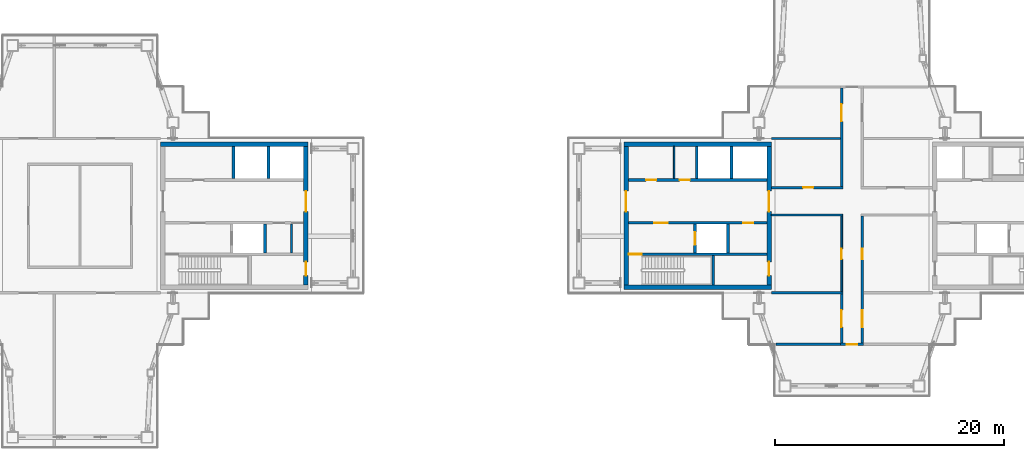
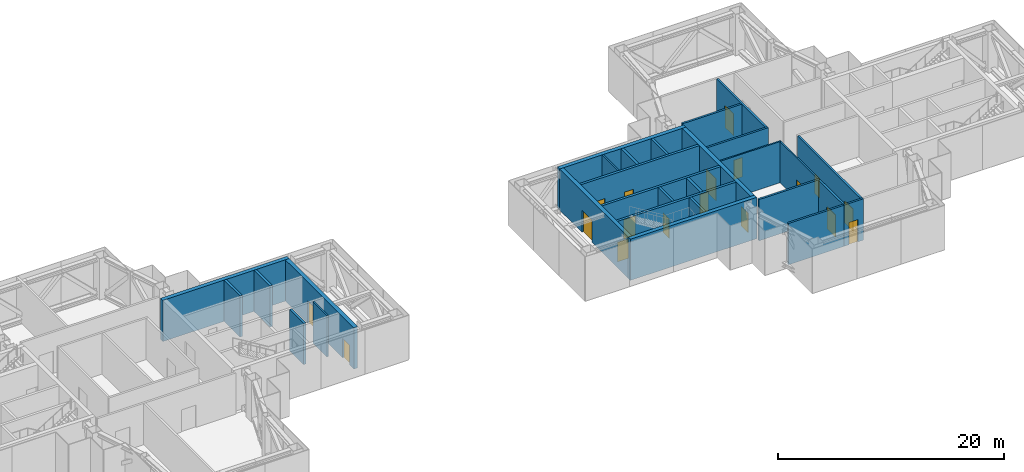
# One storey, part 8 of 18: 29 walls, 18 doors, 18 openings.
"""IFC4 building model written with IfcOpenShell, lengths in metres."""

from ifc_helpers import new_model, si_unit, direction, frame, frame_2d, origin, place, context, subcontext, project, spatial, rectangle, extrude, material, layer, layer_set, type_object, element, fill, save


model = new_model("IFC4")

# Units and contexts
model_context = context("Model", 3, precision=1e-05, world=origin(), true_north=direction((0.0, 1.0)))
body_context = subcontext(model_context, "Body", "Model", "MODEL_VIEW")
ifc_project = project(units=[si_unit("LENGTHUNIT", "METRE"), si_unit("AREAUNIT", "SQUARE_METRE"), si_unit("VOLUMEUNIT", "CUBIC_METRE"), si_unit("PLANEANGLEUNIT", "RADIAN"), si_unit("MASSUNIT", "GRAM", prefix="KILO")], contexts=[model_context])

# Site, building, storey
site_placement = place(None, origin())
site = spatial("IfcSite", under=ifc_project, at=site_placement, CompositionType="ELEMENT")
building_placement = place(site_placement, origin())
building = spatial("IfcBuilding", under=site, at=building_placement, Name="Shamsa Quay Exchange Towers", CompositionType="ELEMENT")
storey_placement = place(building_placement, frame((0.0, 0.0, 225.60009765625)))
storey = spatial("IfcBuildingStorey", under=building, at=storey_placement, Name="L54", CompositionType="ELEMENT", Elevation=225.60009765625)

# Wall
ifc_material_1 = material(Name="Concrete C60/75", Category="concrete")
ifc_layer_1 = layer(ifc_material_1, 0.39990234375)
ifc_layer_set_1 = layer_set([ifc_layer_1], Name="CORE WALL 400 C60/75")
wall_type_1 = type_object("IfcWallType", Name="CORE WALL 400 C60/75", PredefinedType="SHEAR", material=ifc_layer_set_1)
wall_1_placement = place(storey_placement, frame((-26.699951171875, 6.25, 0.0)))
element("IfcWall", 1, at=wall_1_placement, inside=storey, type_object=wall_type_1, Name="Core wall T1A-L54-PN", PredefinedType="SHEAR", context=body_context, shape_type="SweptSolid", body=[
    extrude(rectangle(XDim=12.89990234375, YDim=0.39990234375, at=frame_2d((6.449951171875, 0.0))), origin(), (0.0, 0.0, 1.0), 4.449951171875),
])

# Wall, openings, doors
wall_2_placement = place(storey_placement, frame((-14.0, 6.050048828125, 0.0), z_axis=(0.0, 0.0, 1.0), x_axis=(0.0, -1.0, 0.0)))
wall_2 = element("IfcWall", 2, at=wall_2_placement, inside=storey, type_object=wall_type_1, Name="Core wall T1A-L54-PB", PredefinedType="SHEAR", context=body_context, shape_type="SweptSolid", body=[
    extrude(rectangle(XDim=12.10009765625, YDim=0.39990234375, at=frame_2d((6.050048828125, 0.0))), origin(), (0.0, 0.0, 1.0), 4.449951171875),
])
opening_1_placement = place(wall_2_placement, frame((10.10009765625, 0.0, 0.0)))
opening_1 = element("IfcOpeningElement", 3, at=opening_1_placement, cuts=wall_2, Name="Opening T1A-L54-RD02", PredefinedType="OPENING", context=body_context, shape_type="SweptSolid", body=[
    extrude(rectangle(XDim=1.199951171875, YDim=2.10009765625, at=frame_2d((0.60009765625, 1.050048828125))), frame((0.0, 0.2099609375, 0.0), z_axis=(0.0, -1.0, 0.0), x_axis=(1.0, 0.0, 0.0)), (0.0, 0.0, 1.0), 0.419921875),
])
opening_2_placement = place(wall_2_placement, frame((3.89990234375, 0.0, 0.0)))
opening_2 = element("IfcOpeningElement", 4, at=opening_2_placement, cuts=wall_2, Name="Opening T1A-L54-LBD03", PredefinedType="OPENING", context=body_context, shape_type="SweptSolid", body=[
    extrude(rectangle(XDim=1.800048828125, YDim=2.39990234375, at=frame_2d((0.89990234375, 1.199951171875))), frame((0.0, 0.2099609375, 0.0), z_axis=(0.0, -1.0, 0.0), x_axis=(1.0, 0.0, 0.0)), (0.0, 0.0, 1.0), 0.419921875),
])
ifc_material_2 = material(Name="Steel, fire rated", Category="steel")
door_type_1 = type_object("IfcDoorType", Name="LIFT LOBBY DOOR PAIR 1800", OperationType="DOUBLE_DOOR_SINGLE_SWING", PredefinedType="DOOR", material=ifc_material_2)
door_1_placement = place(opening_2_placement, origin())
door_1 = element("IfcDoor", 5, at=door_1_placement, inside=storey, type_object=door_type_1, Name="T1A-L54-LBD03", OperationType="DOUBLE_DOOR_SINGLE_SWING", OverallHeight=2.39990234375, OverallWidth=1.800048828125, PredefinedType="DOOR", context=body_context, shape_type="SweptSolid", body=[
    extrude(rectangle(XDim=1.800048828125, YDim=2.39990234375, at=frame_2d((0.89990234375, 1.199951171875))), frame((0.0, 0.02490234375, 0.0), z_axis=(0.0, -1.0, 0.0), x_axis=(1.0, 0.0, 0.0)), (0.0, 0.0, 1.0), 0.050048828125),
])
fill(opening_2, door_1)
door_type_2 = type_object("IfcDoorType", Name="RISER ACCESS DOOR 1200", OperationType="SINGLE_SWING_LEFT", PredefinedType="DOOR", material=ifc_material_2)
door_2_placement = place(opening_1_placement, origin())
door_2 = element("IfcDoor", 6, at=door_2_placement, inside=storey, type_object=door_type_2, Name="T1A-L54-RD02", OperationType="SINGLE_SWING_RIGHT", OverallHeight=2.10009765625, OverallWidth=1.199951171875, PredefinedType="DOOR", context=body_context, shape_type="SweptSolid", body=[
    extrude(rectangle(XDim=1.199951171875, YDim=2.10009765625, at=frame_2d((0.60009765625, 1.050048828125))), frame((0.0, 0.02490234375, 0.0), z_axis=(0.0, -1.0, 0.0), x_axis=(1.0, 0.0, 0.0)), (0.0, 0.0, 1.0), 0.050048828125),
])
fill(opening_1, door_2)

# Walls
for number, where, name in (
    (7, (13.800048828125, -6.25, 0.0), "Core wall T2A-L54-PS"),
    (8, (13.800048828125, 6.25, 0.0), "Core wall T2A-L54-PN"),
):
    element("IfcWall", number, at=place(storey_placement, frame(where)), inside=storey, type_object=wall_type_1, Name=name, PredefinedType="SHEAR", context=body_context, shape_type="SweptSolid", body=[
        extrude(rectangle(XDim=12.89990234375, YDim=0.39990234375, at=frame_2d((6.449951171875, 0.0))), origin(), (0.0, 0.0, 1.0), 4.449951171875),
    ])

# Wall, opening, door
wall_3_placement = place(storey_placement, frame((14.0, 6.050048828125, 0.0), z_axis=(0.0, 0.0, 1.0), x_axis=(0.0, -1.0, 0.0)))
wall_3 = element("IfcWall", 9, at=wall_3_placement, inside=storey, type_object=wall_type_1, Name="Core wall T2A-L54-PF", PredefinedType="SHEAR", context=body_context, shape_type="SweptSolid", body=[
    extrude(rectangle(XDim=12.10009765625, YDim=0.39990234375, at=frame_2d((6.050048828125, 0.0))), origin(), (0.0, 0.0, 1.0), 4.449951171875),
])
opening_3_placement = place(wall_3_placement, frame((3.89990234375, 0.0, 0.0)))
opening_3 = element("IfcOpeningElement", 10, at=opening_3_placement, cuts=wall_3, Name="Opening T2A-L54-LBD01", PredefinedType="OPENING", context=body_context, shape_type="SweptSolid", body=[
    extrude(rectangle(XDim=1.800048828125, YDim=2.39990234375, at=frame_2d((0.89990234375, 1.199951171875))), frame((0.0, 0.2099609375, 0.0), z_axis=(0.0, -1.0, 0.0), x_axis=(1.0, 0.0, 0.0)), (0.0, 0.0, 1.0), 0.419921875),
])
door_3_placement = place(opening_3_placement, origin())
door_3 = element("IfcDoor", 11, at=door_3_placement, inside=storey, type_object=door_type_1, Name="T2A-L54-LBD01", OperationType="DOUBLE_DOOR_SINGLE_SWING", OverallHeight=2.39990234375, OverallWidth=1.800048828125, PredefinedType="DOOR", context=body_context, shape_type="SweptSolid", body=[
    extrude(rectangle(XDim=1.800048828125, YDim=2.39990234375, at=frame_2d((0.89990234375, 1.199951171875))), frame((0.0, 0.02490234375, 0.0), z_axis=(0.0, -1.0, 0.0), x_axis=(1.0, 0.0, 0.0)), (0.0, 0.0, 1.0), 0.050048828125),
])
fill(opening_3, door_3)

# Wall, openings, doors
wall_4_placement = place(storey_placement, frame((26.5, 6.050048828125, 0.0), z_axis=(0.0, 0.0, 1.0), x_axis=(0.0, -1.0, 0.0)))
wall_4 = element("IfcWall", 12, at=wall_4_placement, inside=storey, type_object=wall_type_1, Name="Core wall T2A-L54-PB", PredefinedType="SHEAR", context=body_context, shape_type="SweptSolid", body=[
    extrude(rectangle(XDim=12.10009765625, YDim=0.39990234375, at=frame_2d((6.050048828125, 0.0))), origin(), (0.0, 0.0, 1.0), 4.449951171875),
])
opening_4_placement = place(wall_4_placement, frame((10.10009765625, 0.0, 0.0)))
opening_4 = element("IfcOpeningElement", 13, at=opening_4_placement, cuts=wall_4, Name="Opening T2A-L54-RD02", PredefinedType="OPENING", context=body_context, shape_type="SweptSolid", body=[
    extrude(rectangle(XDim=1.199951171875, YDim=2.10009765625, at=frame_2d((0.60009765625, 1.050048828125))), frame((0.0, 0.2099609375, 0.0), z_axis=(0.0, -1.0, 0.0), x_axis=(1.0, 0.0, 0.0)), (0.0, 0.0, 1.0), 0.419921875),
])
opening_5_placement = place(wall_4_placement, frame((3.89990234375, 0.0, 0.0)))
opening_5 = element("IfcOpeningElement", 14, at=opening_5_placement, cuts=wall_4, Name="Opening T2A-L54-LBD03", PredefinedType="OPENING", context=body_context, shape_type="SweptSolid", body=[
    extrude(rectangle(XDim=1.800048828125, YDim=2.39990234375, at=frame_2d((0.89990234375, 1.199951171875))), frame((0.0, 0.2099609375, 0.0), z_axis=(0.0, -1.0, 0.0), x_axis=(1.0, 0.0, 0.0)), (0.0, 0.0, 1.0), 0.419921875),
])
door_4_placement = place(opening_5_placement, origin())
door_4 = element("IfcDoor", 15, at=door_4_placement, inside=storey, type_object=door_type_1, Name="T2A-L54-LBD03", OperationType="DOUBLE_DOOR_SINGLE_SWING", OverallHeight=2.39990234375, OverallWidth=1.800048828125, PredefinedType="DOOR", context=body_context, shape_type="SweptSolid", body=[
    extrude(rectangle(XDim=1.800048828125, YDim=2.39990234375, at=frame_2d((0.89990234375, 1.199951171875))), frame((0.0, 0.02490234375, 0.0), z_axis=(0.0, -1.0, 0.0), x_axis=(1.0, 0.0, 0.0)), (0.0, 0.0, 1.0), 0.050048828125),
])
fill(opening_5, door_4)
door_5_placement = place(opening_4_placement, origin())
door_5 = element("IfcDoor", 16, at=door_5_placement, inside=storey, type_object=door_type_2, Name="T2A-L54-RD02", OperationType="SINGLE_SWING_RIGHT", OverallHeight=2.10009765625, OverallWidth=1.199951171875, PredefinedType="DOOR", context=body_context, shape_type="SweptSolid", body=[
    extrude(rectangle(XDim=1.199951171875, YDim=2.10009765625, at=frame_2d((0.60009765625, 1.050048828125))), frame((0.0, 0.02490234375, 0.0), z_axis=(0.0, -1.0, 0.0), x_axis=(1.0, 0.0, 0.0)), (0.0, 0.0, 1.0), 0.050048828125),
])
fill(opening_4, door_5)

# Walls
ifc_material_3 = material(Name="Gypsum board on steel studs, EI 60", Category="steel")
ifc_layer_2 = layer(ifc_material_3, 0.14990234375)
ifc_layer_set_2 = layer_set([ifc_layer_2], Name="FIRE PARTITION 150")
wall_type_2 = type_object("IfcWallType", Name="FIRE PARTITION 150", PredefinedType="PARTITIONING", material=ifc_layer_set_2)
wall_5_placement = place(storey_placement, frame((-15.25, -3.25, 0.0), z_axis=(0.0, 0.0, 1.0), x_axis=(0.0, 1.0, 0.0)))
element("IfcWall", 17, at=wall_5_placement, inside=storey, type_object=wall_type_2, Name="Partition T1A-L54-EC0", PredefinedType="PARTITIONING", context=body_context, shape_type="SweptSolid", body=[
    extrude(rectangle(XDim=2.5, YDim=0.14990234375, at=frame_2d((1.25, 0.0))), origin(), (0.0, 0.0, 1.0), 4.449951171875),
])
wall_6_placement = place(storey_placement, frame((18.199951171875, 3.25, 0.0), z_axis=(0.0, 0.0, 1.0), x_axis=(0.0, 1.0, 0.0)))
element("IfcWall", 18, at=wall_6_placement, inside=storey, type_object=wall_type_2, Name="Partition T2A-L54-FC0", PredefinedType="PARTITIONING", context=body_context, shape_type="SweptSolid", body=[
    extrude(rectangle(XDim=2.800048828125, YDim=0.14990234375, at=frame_2d((1.39990234375, 0.0))), origin(), (0.0, 0.0, 1.0), 4.449951171875),
])
ifc_material_4 = material(Name="Gypsum board partition on metal studs")
ifc_layer_3 = layer(ifc_material_4, 0.14990234375)
ifc_layer_set_3 = layer_set([ifc_layer_3], Name="Partition 150 mm EI 60")
wall_type_3 = type_object("IfcWallType", Name="Partition 150 mm EI 60", PredefinedType="PARTITIONING", material=ifc_layer_set_3)
wall_7_placement = place(storey_placement, frame((32.924560546875, 0.0498046875, 0.0), z_axis=(0.0, 0.0, 1.0), x_axis=(-1.0, 0.0, 0.0)))
element("IfcWall", 19, at=wall_7_placement, inside=storey, type_object=wall_type_3, Name="Partition T2-L54-W05", PredefinedType="PARTITIONING", context=body_context, shape_type="SweptSolid", body=[
    extrude(rectangle(XDim=6.224609375, YDim=0.14990234375, at=frame_2d((3.1123046875, 0.0))), origin(), (0.0, 0.0, 1.0), 4.449951171875),
])

# Wall, opening, door
wall_8_placement = place(storey_placement, frame((32.849609375, -6.64990234375, 0.0), z_axis=(0.0, 0.0, 1.0), x_axis=(0.0, 1.0, 0.0)))
wall_8 = element("IfcWall", 20, at=wall_8_placement, inside=storey, type_object=wall_type_3, Name="Partition T2-L54-W06", PredefinedType="PARTITIONING", context=body_context, shape_type="SweptSolid", body=[
    extrude(rectangle(XDim=6.624755859375, YDim=0.14990234375, at=frame_2d((3.3125, 0.0))), origin(), (0.0, 0.0, 1.0), 4.449951171875),
])
opening_6_placement = place(wall_8_placement, frame((2.849853515625, 0.0, 0.0)))
opening_6 = element("IfcOpeningElement", 21, at=opening_6_placement, cuts=wall_8, Name="Opening T2-L54-D08", PredefinedType="OPENING", context=body_context, shape_type="SweptSolid", body=[
    extrude(rectangle(XDim=0.89990234375, YDim=2.10009765625, at=frame_2d((0.449951171875, 1.050048828125))), frame((0.0, 0.0849609375, 0.0), z_axis=(0.0, -1.0, 0.0), x_axis=(1.0, 0.0, 0.0)), (0.0, 0.0, 1.0), 0.169921875),
])
ifc_material_5 = material(Name="Timber door leaf in a metal frame", Category="wood")
door_type_3 = type_object("IfcDoorType", Name="Door 900x2100 FD30S", OperationType="NOTDEFINED", PredefinedType="DOOR", material=ifc_material_5)
door_6_placement = place(opening_6_placement, origin())
door_6 = element("IfcDoor", 22, at=door_6_placement, inside=storey, type_object=door_type_3, Name="Door T2-L54-D08", OperationType="SINGLE_SWING_RIGHT", OverallHeight=2.10009765625, OverallWidth=0.89990234375, PredefinedType="DOOR", context=body_context, shape_type="SweptSolid", body=[
    extrude(rectangle(XDim=0.89990234375, YDim=2.10009765625, at=frame_2d((0.449951171875, 1.050048828125))), frame((0.0, 0.02490234375, 0.0), z_axis=(0.0, -1.0, 0.0), x_axis=(1.0, 0.0, 0.0)), (0.0, 0.0, 1.0), 0.050048828125),
])
fill(opening_6, door_6)

ifc_layer_4 = layer(ifc_material_4, 0.199951171875)
ifc_layer_set_4 = layer_set([ifc_layer_4], Name="Partition 200 mm EI 120")
wall_type_4 = type_object("IfcWallType", Name="Partition 200 mm EI 120", PredefinedType="PARTITIONING", material=ifc_layer_set_4)
wall_9_placement = place(storey_placement, frame((32.849609375, 2.55029296875, 0.0), z_axis=(0.0, 0.0, 1.0), x_axis=(0.0, 1.0, 0.0)))
wall_9 = element("IfcWall", 23, at=wall_9_placement, inside=storey, type_object=wall_type_4, Name="Partition T2-L54-W01", PredefinedType="PARTITIONING", context=body_context, shape_type="SweptSolid", body=[
    extrude(rectangle(XDim=8.599609375, YDim=0.199951171875, at=frame_2d((4.2998046875, 0.0))), origin(), (0.0, 0.0, 1.0), 4.449951171875),
])
opening_7_placement = place(wall_9_placement, frame((5.69970703125, 0.0, 0.0)))
opening_7 = element("IfcOpeningElement", 24, at=opening_7_placement, cuts=wall_9, Name="Opening T2-L54-D10", PredefinedType="OPENING", context=body_context, shape_type="SweptSolid", body=[
    extrude(rectangle(XDim=1.5, YDim=2.39990234375, at=frame_2d((0.75, 1.199951171875))), frame((0.0, 0.10986328125, 0.0), z_axis=(0.0, -1.0, 0.0), x_axis=(1.0, 0.0, 0.0)), (0.0, 0.0, 1.0), 0.219970703125),
])
door_type_4 = type_object("IfcDoorType", Name="Door 1500x2400 FD60 pair", OperationType="NOTDEFINED", PredefinedType="DOOR", material=ifc_material_5)
door_7_placement = place(opening_7_placement, origin())
door_7 = element("IfcDoor", 25, at=door_7_placement, inside=storey, type_object=door_type_4, Name="Door T2-L54-D10", OperationType="DOUBLE_DOOR_SINGLE_SWING", OverallHeight=2.39990234375, OverallWidth=1.5, PredefinedType="DOOR", context=body_context, shape_type="SweptSolid", body=[
    extrude(rectangle(XDim=1.5, YDim=2.39990234375, at=frame_2d((0.75, 1.199951171875))), frame((0.0, 0.02490234375, 0.0), z_axis=(0.0, -1.0, 0.0), x_axis=(1.0, 0.0, 0.0)), (0.0, 0.0, 1.0), 0.050048828125),
])
fill(opening_7, door_7)

wall_10_placement = place(storey_placement, frame((32.849609375, -11.14990234375, 0.0), z_axis=(0.0, 0.0, 1.0), x_axis=(0.0, 1.0, 0.0)))
wall_10 = element("IfcWall", 26, at=wall_10_placement, inside=storey, type_object=wall_type_4, Name="Partition T2-L54-W02", PredefinedType="PARTITIONING", context=body_context, shape_type="SweptSolid", body=[
    extrude(rectangle(XDim=4.2998046875, YDim=0.199951171875, at=frame_2d((2.14990234375, 0.0))), origin(), (0.0, 0.0, 1.0), 4.449951171875),
])
opening_8_placement = place(wall_10_placement, frame((1.39990234375, 0.0, 0.0)))
opening_8 = element("IfcOpeningElement", 27, at=opening_8_placement, cuts=wall_10, Name="Opening T2-L54-D07", PredefinedType="OPENING", context=body_context, shape_type="SweptSolid", body=[
    extrude(rectangle(XDim=1.5, YDim=2.39990234375, at=frame_2d((0.75, 1.199951171875))), frame((0.0, 0.10986328125, 0.0), z_axis=(0.0, -1.0, 0.0), x_axis=(1.0, 0.0, 0.0)), (0.0, 0.0, 1.0), 0.219970703125),
])
door_8_placement = place(opening_8_placement, origin())
door_8 = element("IfcDoor", 28, at=door_8_placement, inside=storey, type_object=door_type_4, Name="Door T2-L54-D07", OperationType="DOUBLE_DOOR_SINGLE_SWING", OverallHeight=2.39990234375, OverallWidth=1.5, PredefinedType="DOOR", context=body_context, shape_type="SweptSolid", body=[
    extrude(rectangle(XDim=1.5, YDim=2.39990234375, at=frame_2d((0.75, 1.199951171875))), frame((0.0, 0.02490234375, 0.0), z_axis=(0.0, -1.0, 0.0), x_axis=(1.0, 0.0, 0.0)), (0.0, 0.0, 1.0), 0.050048828125),
])
fill(opening_8, door_8)

wall_11_placement = place(storey_placement, frame((26.699951171875, 2.4501953125, 0.0)))
wall_11 = element("IfcWall", 29, at=wall_11_placement, inside=storey, type_object=wall_type_4, Name="Partition T2-L54-W04", PredefinedType="PARTITIONING", context=body_context, shape_type="SweptSolid", body=[
    extrude(rectangle(XDim=6.249755859375, YDim=0.199951171875, at=frame_2d((3.125, 0.0))), origin(), (0.0, 0.0, 1.0), 4.449951171875),
])
opening_9_placement = place(wall_11_placement, frame((2.77490234375, 0.0, 0.0)))
opening_9 = element("IfcOpeningElement", 30, at=opening_9_placement, cuts=wall_11, Name="Opening T2-L54-D09", PredefinedType="OPENING", context=body_context, shape_type="SweptSolid", body=[
    extrude(rectangle(XDim=0.89990234375, YDim=2.10009765625, at=frame_2d((0.449951171875, 1.050048828125))), frame((0.0, 0.10986328125, 0.0), z_axis=(0.0, -1.0, 0.0), x_axis=(1.0, 0.0, 0.0)), (0.0, 0.0, 1.0), 0.219970703125),
])
door_type_5 = type_object("IfcDoorType", Name="Door 900x2100 FD60", OperationType="NOTDEFINED", PredefinedType="DOOR", material=ifc_material_5)
door_9_placement = place(opening_9_placement, origin())
door_9 = element("IfcDoor", 31, at=door_9_placement, inside=storey, type_object=door_type_5, Name="Door T2-L54-D09", OperationType="SINGLE_SWING_LEFT", OverallHeight=2.10009765625, OverallWidth=0.89990234375, PredefinedType="DOOR", context=body_context, shape_type="SweptSolid", body=[
    extrude(rectangle(XDim=0.89990234375, YDim=2.10009765625, at=frame_2d((0.449951171875, 1.050048828125))), frame((0.0, 0.02490234375, 0.0), z_axis=(0.0, -1.0, 0.0), x_axis=(1.0, 0.0, 0.0)), (0.0, 0.0, 1.0), 0.050048828125),
])
fill(opening_9, door_9)

# Wall, openings, doors
wall_12_placement = place(storey_placement, frame((34.650390625, -0.05029296875, 0.0), z_axis=(0.0, 0.0, 1.0), x_axis=(0.0, -1.0, 0.0)))
wall_12 = element("IfcWall", 32, at=wall_12_placement, inside=storey, type_object=wall_type_4, Name="Partition T2-L54-W07", PredefinedType="PARTITIONING", context=body_context, shape_type="SweptSolid", body=[
    extrude(rectangle(XDim=11.099609375, YDim=0.199951171875, at=frame_2d((5.5498046875, 0.0))), origin(), (0.0, 0.0, 1.0), 4.449951171875),
])
opening_10_placement = place(wall_12_placement, frame((8.19970703125, 0.0, 0.0)))
opening_10 = element("IfcOpeningElement", 33, at=opening_10_placement, cuts=wall_12, Name="Opening T2-L54-D02", PredefinedType="OPENING", context=body_context, shape_type="SweptSolid", body=[
    extrude(rectangle(XDim=1.5, YDim=2.39990234375, at=frame_2d((0.75, 1.199951171875))), frame((0.0, 0.10986328125, 0.0), z_axis=(0.0, -1.0, 0.0), x_axis=(1.0, 0.0, 0.0)), (0.0, 0.0, 1.0), 0.219970703125),
])
opening_11_placement = place(wall_12_placement, frame((2.849853515625, 0.0, 0.0)))
opening_11 = element("IfcOpeningElement", 34, at=opening_11_placement, cuts=wall_12, Name="Opening T2-L54-D03", PredefinedType="OPENING", context=body_context, shape_type="SweptSolid", body=[
    extrude(rectangle(XDim=0.89990234375, YDim=2.10009765625, at=frame_2d((0.449951171875, 1.050048828125))), frame((0.0, 0.10986328125, 0.0), z_axis=(0.0, -1.0, 0.0), x_axis=(1.0, 0.0, 0.0)), (0.0, 0.0, 1.0), 0.219970703125),
])
door_10_placement = place(opening_10_placement, origin())
door_10 = element("IfcDoor", 35, at=door_10_placement, inside=storey, type_object=door_type_4, Name="Door T2-L54-D02", OperationType="DOUBLE_DOOR_SINGLE_SWING", OverallHeight=2.39990234375, OverallWidth=1.5, PredefinedType="DOOR", context=body_context, shape_type="SweptSolid", body=[
    extrude(rectangle(XDim=1.5, YDim=2.39990234375, at=frame_2d((0.75, 1.199951171875))), frame((0.0, 0.02490234375, 0.0), z_axis=(0.0, -1.0, 0.0), x_axis=(1.0, 0.0, 0.0)), (0.0, 0.0, 1.0), 0.050048828125),
])
fill(opening_10, door_10)
door_11_placement = place(opening_11_placement, origin())
door_11 = element("IfcDoor", 36, at=door_11_placement, inside=storey, type_object=door_type_5, Name="Door T2-L54-D03", OperationType="SINGLE_SWING_LEFT", OverallHeight=2.10009765625, OverallWidth=0.89990234375, PredefinedType="DOOR", context=body_context, shape_type="SweptSolid", body=[
    extrude(rectangle(XDim=0.89990234375, YDim=2.10009765625, at=frame_2d((0.449951171875, 1.050048828125))), frame((0.0, 0.02490234375, 0.0), z_axis=(0.0, -1.0, 0.0), x_axis=(1.0, 0.0, 0.0)), (0.0, 0.0, 1.0), 0.050048828125),
])
fill(opening_11, door_11)

# Wall, opening, door
wall_13_placement = place(storey_placement, frame((34.75048828125, -11.25, 0.0), z_axis=(0.0, 0.0, 1.0), x_axis=(-1.0, 0.0, 0.0)))
wall_13 = element("IfcWall", 37, at=wall_13_placement, inside=storey, type_object=wall_type_4, Name="Partition T2-L54-W11", PredefinedType="PARTITIONING", context=body_context, shape_type="SweptSolid", body=[
    extrude(rectangle(XDim=2.0009765625, YDim=0.199951171875, at=frame_2d((1.00048828125, 0.0))), origin(), (0.0, 0.0, 1.0), 4.449951171875),
])
opening_12_placement = place(wall_13_placement, frame((0.55029296875, 0.0, 0.0)))
opening_12 = element("IfcOpeningElement", 38, at=opening_12_placement, cuts=wall_13, Name="Opening T2-L54-D06", PredefinedType="OPENING", context=body_context, shape_type="SweptSolid", body=[
    extrude(rectangle(XDim=0.89990234375, YDim=2.39990234375, at=frame_2d((0.449951171875, 1.199951171875))), frame((0.0, 0.10986328125, 0.0), z_axis=(0.0, -1.0, 0.0), x_axis=(1.0, 0.0, 0.0)), (0.0, 0.0, 1.0), 0.219970703125),
])
door_type_6 = type_object("IfcDoorType", Name="Door 900x2400 FD60", OperationType="NOTDEFINED", PredefinedType="DOOR", material=ifc_material_5)
door_12_placement = place(opening_12_placement, origin())
door_12 = element("IfcDoor", 39, at=door_12_placement, inside=storey, type_object=door_type_6, Name="Door T2-L54-D06", OperationType="SINGLE_SWING_LEFT", OverallHeight=2.39990234375, OverallWidth=0.89990234375, PredefinedType="DOOR", context=body_context, shape_type="SweptSolid", body=[
    extrude(rectangle(XDim=0.89990234375, YDim=2.39990234375, at=frame_2d((0.449951171875, 1.199951171875))), frame((0.0, 0.02490234375, 0.0), z_axis=(0.0, -1.0, 0.0), x_axis=(1.0, 0.0, 0.0)), (0.0, 0.0, 1.0), 0.050048828125),
])
fill(opening_12, door_12)

# Walls
wall_14_placement = place(storey_placement, frame((32.74951171875, 6.75, 0.0), z_axis=(0.0, 0.0, 1.0), x_axis=(-1.0, 0.0, 0.0)))
element("IfcWall", 40, at=wall_14_placement, inside=storey, type_object=wall_type_4, Name="Partition T2-L54-W12", PredefinedType="PARTITIONING", context=body_context, shape_type="SweptSolid", body=[
    extrude(rectangle(XDim=6.049560546875, YDim=0.199951171875, at=frame_2d((3.02490234375, 0.0))), origin(), (0.0, 0.0, 1.0), 4.449951171875),
])
wall_15_placement = place(storey_placement, frame((26.699951171875, -6.75, 0.0)))
element("IfcWall", 41, at=wall_15_placement, inside=storey, type_object=wall_type_4, Name="Partition T2-L54-W15", PredefinedType="PARTITIONING", context=body_context, shape_type="SweptSolid", body=[
    extrude(rectangle(XDim=6.249755859375, YDim=0.199951171875, at=frame_2d((3.125, 0.0))), origin(), (0.0, 0.0, 1.0), 4.449951171875),
])
wall_16_placement = place(storey_placement, frame((27.094970703125, -11.25, 0.0)))
element("IfcWall", 42, at=wall_16_placement, inside=storey, type_object=wall_type_4, Name="Partition T2-L54-W19", PredefinedType="PARTITIONING", context=body_context, shape_type="SweptSolid", body=[
    extrude(rectangle(XDim=5.854736328125, YDim=0.199951171875, at=frame_2d((2.92724609375, 0.0))), origin(), (0.0, 0.0, 1.0), 4.449951171875),
])
ifc_material_6 = material(Name="Concrete C50/60", Category="concrete")
ifc_layer_5 = layer(ifc_material_6, 0.25)
ifc_layer_set_5 = layer_set([ifc_layer_5], Name="SHAFT WALL 250 C50/60")
wall_type_5 = type_object("IfcWallType", Name="SHAFT WALL 250 C50/60", PredefinedType="SHEAR", material=ifc_layer_set_5)
wall_17_placement = place(storey_placement, frame((-17.574951171875, -3.25, 0.0), z_axis=(0.0, 0.0, 1.0), x_axis=(0.0, 1.0, 0.0)))
element("IfcWall", 43, at=wall_17_placement, inside=storey, type_object=wall_type_5, Name="Shaft wall T1A-L54-FFB", PredefinedType="SHEAR", context=body_context, shape_type="SweptSolid", body=[
    extrude(rectangle(XDim=2.5, YDim=0.25, at=frame_2d((1.25, 0.0))), origin(), (0.0, 0.0, 1.0), 4.449951171875),
])
for number, where, z_axis, x_axis, name in (
    (44, (-20.324951171875, 3.25, 0.0), (0.0, 0.0, 1.0), (0.0, 1.0, 0.0), "Shaft wall T1A-L54-D1"),
    (45, (-17.27490234375, 3.25, 0.0), (0.0, 0.0, 1.0), (0.0, 1.0, 0.0), "Shaft wall T1A-L54-D2"),
):
    element("IfcWall", number, at=place(storey_placement, frame(where, z_axis=z_axis, x_axis=x_axis)), inside=storey, type_object=wall_type_5, Name=name, PredefinedType="SHEAR", context=body_context, shape_type="SweptSolid", body=[
        extrude(rectangle(XDim=2.800048828125, YDim=0.25, at=frame_2d((1.39990234375, 0.0))), origin(), (0.0, 0.0, 1.0), 4.449951171875),
    ])

# Wall, opening, door
wall_18_placement = place(storey_placement, frame((26.300048828125, -3.375, 0.0), z_axis=(0.0, 0.0, 1.0), x_axis=(-1.0, 0.0, 0.0)))
wall_18 = element("IfcWall", 46, at=wall_18_placement, inside=storey, type_object=wall_type_5, Name="Shaft wall T2A-L54-STL", PredefinedType="SHEAR", context=body_context, shape_type="SweptSolid", body=[
    extrude(rectangle(XDim=12.10009765625, YDim=0.25, at=frame_2d((6.050048828125, 0.0))), origin(), (0.0, 0.0, 1.0), 4.449951171875),
])
opening_13_placement = place(wall_18_placement, frame((10.949951171875, 0.0, 0.0)))
opening_13 = element("IfcOpeningElement", 47, at=opening_13_placement, cuts=wall_18, Name="Opening T2A-L54-SD04", PredefinedType="OPENING", context=body_context, shape_type="SweptSolid", body=[
    extrude(rectangle(XDim=1.10009765625, YDim=2.10009765625, at=frame_2d((0.550048828125, 1.050048828125))), frame((0.0, 0.135009765625, 0.0), z_axis=(0.0, -1.0, 0.0), x_axis=(1.0, 0.0, 0.0)), (0.0, 0.0, 1.0), 0.27001953125),
])
door_type_7 = type_object("IfcDoorType", Name="STAIR DOOR 1100", OperationType="SINGLE_SWING_LEFT", PredefinedType="DOOR", material=ifc_material_2)
door_13_placement = place(opening_13_placement, origin())
door_13 = element("IfcDoor", 48, at=door_13_placement, inside=storey, type_object=door_type_7, Name="T2A-L54-SD04", OperationType="SINGLE_SWING_RIGHT", OverallHeight=2.10009765625, OverallWidth=1.10009765625, PredefinedType="DOOR", context=body_context, shape_type="SweptSolid", body=[
    extrude(rectangle(XDim=1.10009765625, YDim=2.10009765625, at=frame_2d((0.550048828125, 1.050048828125))), frame((0.0, 0.02490234375, 0.0), z_axis=(0.0, -1.0, 0.0), x_axis=(1.0, 0.0, 0.0)), (0.0, 0.0, 1.0), 0.050048828125),
])
fill(opening_13, door_13)

# Wall
wall_19_placement = place(storey_placement, frame((21.625, -6.050048828125, 0.0), z_axis=(0.0, 0.0, 1.0), x_axis=(0.0, 1.0, 0.0)))
element("IfcWall", 49, at=wall_19_placement, inside=storey, type_object=wall_type_5, Name="Shaft wall T2A-L54-STF", PredefinedType="SHEAR", context=body_context, shape_type="SweptSolid", body=[
    extrude(rectangle(XDim=2.550048828125, YDim=0.25, at=frame_2d((1.27490234375, 0.0))), origin(), (0.0, 0.0, 1.0), 4.449951171875),
])

# Wall, openings, doors
wall_20_placement = place(storey_placement, frame((26.300048828125, -0.625, 0.0), z_axis=(0.0, 0.0, 1.0), x_axis=(-1.0, 0.0, 0.0)))
wall_20 = element("IfcWall", 50, at=wall_20_placement, inside=storey, type_object=wall_type_5, Name="Shaft wall T2A-L54-B", PredefinedType="SHEAR", context=body_context, shape_type="SweptSolid", body=[
    extrude(rectangle(XDim=12.10009765625, YDim=0.25, at=frame_2d((6.050048828125, 0.0))), origin(), (0.0, 0.0, 1.0), 4.449951171875),
])
opening_14_placement = place(wall_20_placement, frame((8.64990234375, 0.0, 0.0)))
opening_14 = element("IfcOpeningElement", 51, at=opening_14_placement, cuts=wall_20, Name="Opening T2A-L54-FD05", PredefinedType="OPENING", context=body_context, shape_type="SweptSolid", body=[
    extrude(rectangle(XDim=1.199951171875, YDim=2.10009765625, at=frame_2d((0.60009765625, 1.050048828125))), frame((0.0, 0.135009765625, 0.0), z_axis=(0.0, -1.0, 0.0), x_axis=(1.0, 0.0, 0.0)), (0.0, 0.0, 1.0), 0.27001953125),
])
opening_15_placement = place(wall_20_placement, frame((1.175048828125, 0.0, 0.0)))
opening_15 = element("IfcOpeningElement", 52, at=opening_15_placement, cuts=wall_20, Name="Opening T2A-L54-SV06", PredefinedType="OPENING", context=body_context, shape_type="SweptSolid", body=[
    extrude(rectangle(XDim=0.89990234375, YDim=2.10009765625, at=frame_2d((0.449951171875, 1.050048828125))), frame((0.0, 0.135009765625, 0.0), z_axis=(0.0, -1.0, 0.0), x_axis=(1.0, 0.0, 0.0)), (0.0, 0.0, 1.0), 0.27001953125),
])
door_type_8 = type_object("IfcDoorType", Name="FIRE SERVICE LOBBY DOOR 1200", OperationType="SINGLE_SWING_LEFT", PredefinedType="DOOR", material=ifc_material_2)
door_14_placement = place(opening_14_placement, origin())
door_14 = element("IfcDoor", 53, at=door_14_placement, inside=storey, type_object=door_type_8, Name="T2A-L54-FD05", OperationType="SINGLE_SWING_RIGHT", OverallHeight=2.10009765625, OverallWidth=1.199951171875, PredefinedType="DOOR", context=body_context, shape_type="SweptSolid", body=[
    extrude(rectangle(XDim=1.199951171875, YDim=2.10009765625, at=frame_2d((0.60009765625, 1.050048828125))), frame((0.0, 0.02490234375, 0.0), z_axis=(0.0, -1.0, 0.0), x_axis=(1.0, 0.0, 0.0)), (0.0, 0.0, 1.0), 0.050048828125),
])
fill(opening_14, door_14)
door_type_9 = type_object("IfcDoorType", Name="SERVICE ROOM DOOR 900", OperationType="SINGLE_SWING_LEFT", PredefinedType="DOOR", material=ifc_material_2)
door_15_placement = place(opening_15_placement, origin())
door_15 = element("IfcDoor", 54, at=door_15_placement, inside=storey, type_object=door_type_9, Name="T2A-L54-SV06", OperationType="SINGLE_SWING_LEFT", OverallHeight=2.10009765625, OverallWidth=0.89990234375, PredefinedType="DOOR", context=body_context, shape_type="SweptSolid", body=[
    extrude(rectangle(XDim=0.89990234375, YDim=2.10009765625, at=frame_2d((0.449951171875, 1.050048828125))), frame((0.0, 0.02490234375, 0.0), z_axis=(0.0, -1.0, 0.0), x_axis=(1.0, 0.0, 0.0)), (0.0, 0.0, 1.0), 0.050048828125),
])
fill(opening_15, door_15)

# Wall, opening, door
wall_21_placement = place(storey_placement, frame((20.02490234375, -3.25, 0.0), z_axis=(0.0, 0.0, 1.0), x_axis=(0.0, 1.0, 0.0)))
wall_21 = element("IfcWall", 55, at=wall_21_placement, inside=storey, type_object=wall_type_5, Name="Shaft wall T2A-L54-FFF", PredefinedType="SHEAR", context=body_context, shape_type="SweptSolid", body=[
    extrude(rectangle(XDim=2.5, YDim=0.25, at=frame_2d((1.25, 0.0))), origin(), (0.0, 0.0, 1.0), 4.449951171875),
])
opening_16_placement = place(wall_21_placement, frame((0.699951171875, 0.0, 0.0)))
opening_16 = element("IfcOpeningElement", 56, at=opening_16_placement, cuts=wall_21, Name="Opening T2A-L54-LDF07", PredefinedType="OPENING", context=body_context, shape_type="SweptSolid", body=[
    extrude(rectangle(XDim=1.10009765625, YDim=2.10009765625, at=frame_2d((0.550048828125, 1.050048828125))), frame((0.0, 0.135009765625, 0.0), z_axis=(0.0, -1.0, 0.0), x_axis=(1.0, 0.0, 0.0)), (0.0, 0.0, 1.0), 0.27001953125),
])
door_type_10 = type_object("IfcDoorType", Name="FIRE SERVICE LANDING DOOR 1100", OperationType="SLIDING_TO_LEFT", PredefinedType="DOOR", material=ifc_material_2)
door_16_placement = place(opening_16_placement, origin())
door_16 = element("IfcDoor", 57, at=door_16_placement, inside=storey, type_object=door_type_10, Name="T2A-L54-LDF07", OperationType="SLIDING_TO_LEFT", OverallHeight=2.10009765625, OverallWidth=1.10009765625, PredefinedType="DOOR", context=body_context, shape_type="SweptSolid", body=[
    extrude(rectangle(XDim=1.10009765625, YDim=2.10009765625, at=frame_2d((0.550048828125, 1.050048828125))), frame((0.0, 0.02490234375, 0.0), z_axis=(0.0, -1.0, 0.0), x_axis=(1.0, 0.0, 0.0)), (0.0, 0.0, 1.0), 0.050048828125),
])
fill(opening_16, door_16)

# Wall
wall_22_placement = place(storey_placement, frame((22.925048828125, -3.25, 0.0), z_axis=(0.0, 0.0, 1.0), x_axis=(0.0, 1.0, 0.0)))
element("IfcWall", 58, at=wall_22_placement, inside=storey, type_object=wall_type_5, Name="Shaft wall T2A-L54-FFB", PredefinedType="SHEAR", context=body_context, shape_type="SweptSolid", body=[
    extrude(rectangle(XDim=2.5, YDim=0.25, at=frame_2d((1.25, 0.0))), origin(), (0.0, 0.0, 1.0), 4.449951171875),
])

# Wall, openings, doors
wall_23_placement = place(storey_placement, frame((14.199951171875, 3.125, 0.0)))
wall_23 = element("IfcWall", 59, at=wall_23_placement, inside=storey, type_object=wall_type_5, Name="Shaft wall T2A-L54-N", PredefinedType="SHEAR", context=body_context, shape_type="SweptSolid", body=[
    extrude(rectangle(XDim=12.10009765625, YDim=0.25, at=frame_2d((6.050048828125, 0.0))), origin(), (0.0, 0.0, 1.0), 4.449951171875),
])
opening_17_placement = place(wall_23_placement, frame((1.550048828125, 0.0, 0.0)))
opening_17 = element("IfcOpeningElement", 60, at=opening_17_placement, cuts=wall_23, Name="Opening T2A-L54-SV08", PredefinedType="OPENING", context=body_context, shape_type="SweptSolid", body=[
    extrude(rectangle(XDim=0.89990234375, YDim=2.10009765625, at=frame_2d((0.449951171875, 1.050048828125))), frame((0.0, 0.135009765625, 0.0), z_axis=(0.0, -1.0, 0.0), x_axis=(1.0, 0.0, 0.0)), (0.0, 0.0, 1.0), 0.27001953125),
])
opening_18_placement = place(wall_23_placement, frame((4.47509765625, 0.0, 0.0)))
opening_18 = element("IfcOpeningElement", 61, at=opening_18_placement, cuts=wall_23, Name="Opening T2A-L54-SV09", PredefinedType="OPENING", context=body_context, shape_type="SweptSolid", body=[
    extrude(rectangle(XDim=0.89990234375, YDim=2.10009765625, at=frame_2d((0.449951171875, 1.050048828125))), frame((0.0, 0.135009765625, 0.0), z_axis=(0.0, -1.0, 0.0), x_axis=(1.0, 0.0, 0.0)), (0.0, 0.0, 1.0), 0.27001953125),
])
door_17_placement = place(opening_17_placement, origin())
door_17 = element("IfcDoor", 62, at=door_17_placement, inside=storey, type_object=door_type_9, Name="T2A-L54-SV08", OperationType="SINGLE_SWING_LEFT", OverallHeight=2.10009765625, OverallWidth=0.89990234375, PredefinedType="DOOR", context=body_context, shape_type="SweptSolid", body=[
    extrude(rectangle(XDim=0.89990234375, YDim=2.10009765625, at=frame_2d((0.449951171875, 1.050048828125))), frame((0.0, 0.02490234375, 0.0), z_axis=(0.0, -1.0, 0.0), x_axis=(1.0, 0.0, 0.0)), (0.0, 0.0, 1.0), 0.050048828125),
])
fill(opening_17, door_17)
door_18_placement = place(opening_18_placement, origin())
door_18 = element("IfcDoor", 63, at=door_18_placement, inside=storey, type_object=door_type_9, Name="T2A-L54-SV09", OperationType="SINGLE_SWING_LEFT", OverallHeight=2.10009765625, OverallWidth=0.89990234375, PredefinedType="DOOR", context=body_context, shape_type="SweptSolid", body=[
    extrude(rectangle(XDim=0.89990234375, YDim=2.10009765625, at=frame_2d((0.449951171875, 1.050048828125))), frame((0.0, 0.02490234375, 0.0), z_axis=(0.0, -1.0, 0.0), x_axis=(1.0, 0.0, 0.0)), (0.0, 0.0, 1.0), 0.050048828125),
])
fill(opening_18, door_18)

# Walls
for number, where, z_axis, x_axis, name in (
    (64, (20.175048828125, 3.25, 0.0), (0.0, 0.0, 1.0), (0.0, 1.0, 0.0), "Shaft wall T2A-L54-D1"),
    (65, (23.22509765625, 3.25, 0.0), (0.0, 0.0, 1.0), (0.0, 1.0, 0.0), "Shaft wall T2A-L54-D2"),
):
    element("IfcWall", number, at=place(storey_placement, frame(where, z_axis=z_axis, x_axis=x_axis)), inside=storey, type_object=wall_type_5, Name=name, PredefinedType="SHEAR", context=body_context, shape_type="SweptSolid", body=[
        extrude(rectangle(XDim=2.800048828125, YDim=0.25, at=frame_2d((1.39990234375, 0.0))), origin(), (0.0, 0.0, 1.0), 4.449951171875),
    ])

save(model, "model.ifc")
